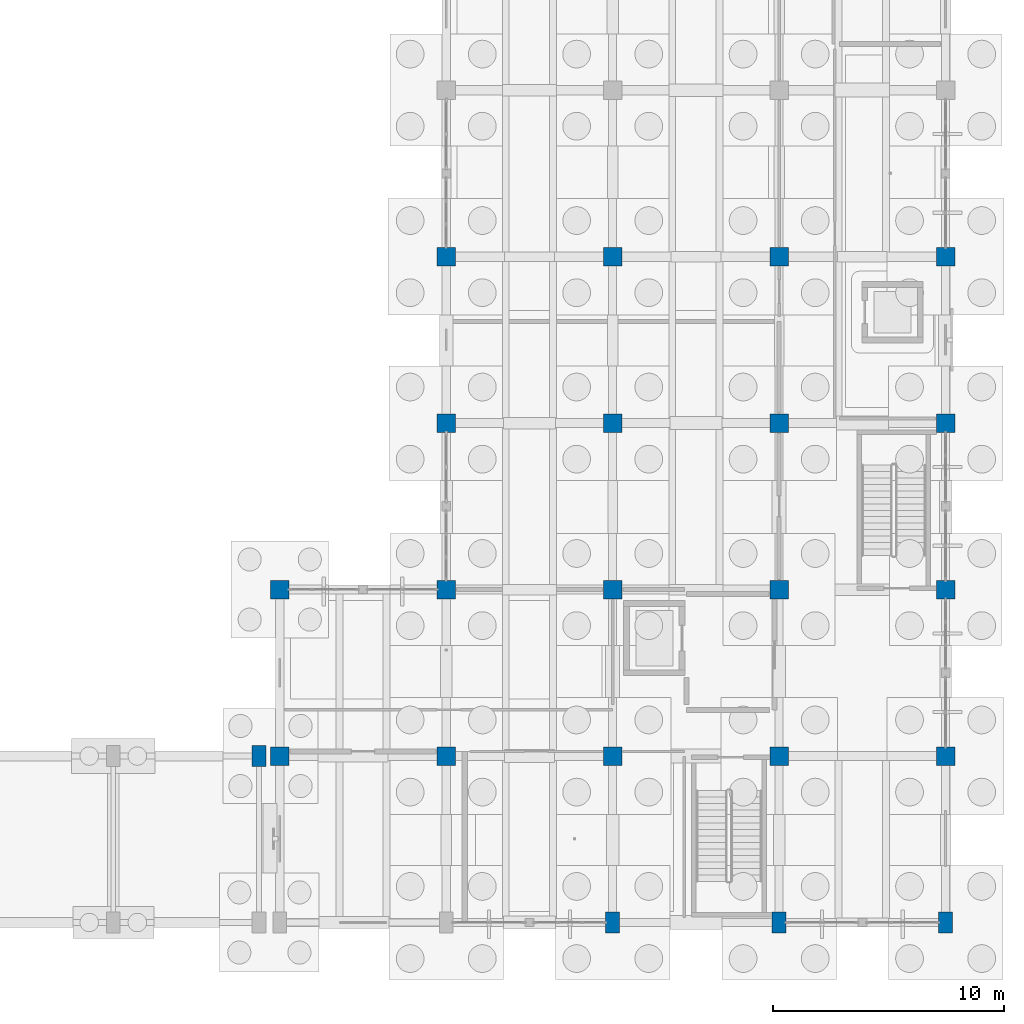
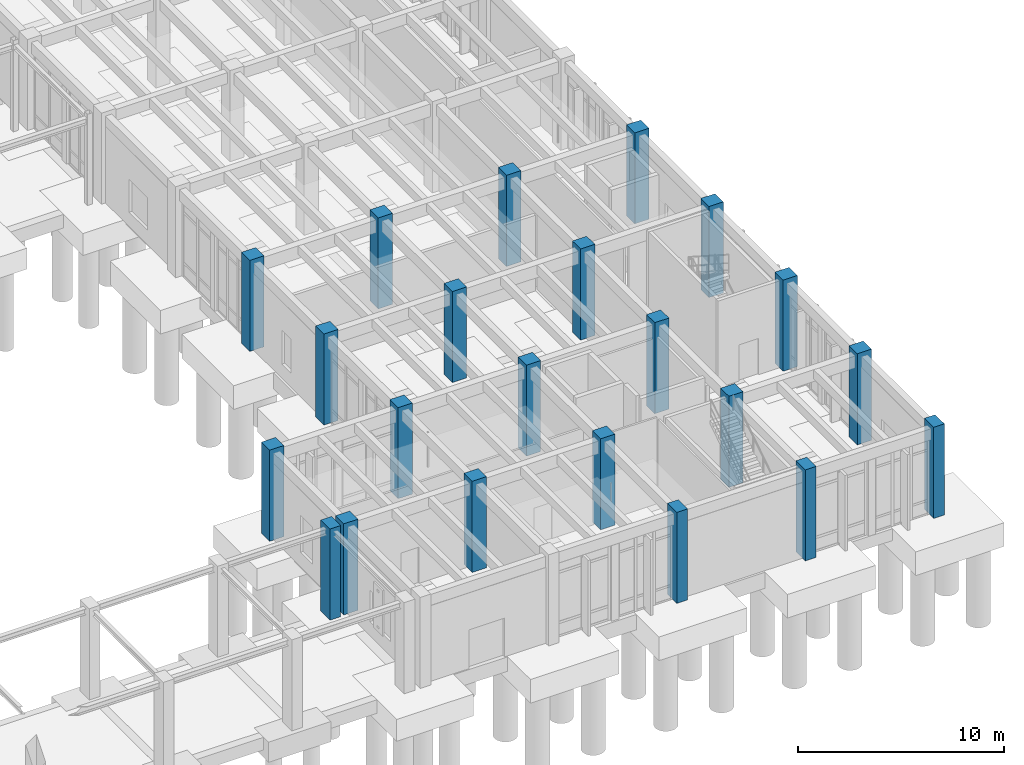
# One storey, part 14 of 93: 22 columns.
"""IFC4 building model written with IfcOpenShell, lengths in metres."""

from ifc_helpers import new_model, si_unit, direction, frame, origin, origin_2d, place, context, subcontext, project, spatial, rectangle, extrude, material, material_profile, profile_set, type_object, element, save


model = new_model("IFC4")

# Units and contexts
model_context = context("Model", 3, precision=1e-05, world=origin(), true_north=direction((0.0, 1.0)))
body_context = subcontext(model_context, "Body", "Model", "MODEL_VIEW")
ifc_project = project(units=[si_unit("LENGTHUNIT", "METRE"), si_unit("AREAUNIT", "SQUARE_METRE"), si_unit("VOLUMEUNIT", "CUBIC_METRE"), si_unit("PLANEANGLEUNIT", "RADIAN"), si_unit("MASSUNIT", "GRAM", prefix="KILO")], contexts=[model_context])

# Site, building, storey
site_placement = place(None, origin())
site = spatial("IfcSite", under=ifc_project, at=site_placement, CompositionType="ELEMENT")
building_placement = place(site_placement, origin())
building = spatial("IfcBuilding", under=site, at=building_placement, Name="Koriwan Promenade Central Fire Station", CompositionType="ELEMENT")
storey_placement = place(building_placement, origin())
storey = spatial("IfcBuildingStorey", under=building, at=storey_placement, Name="L00", CompositionType="ELEMENT", Elevation=0.0)

# Columns
ifc_material = material(Name="Concrete C40/50", Category="concrete")
ifc_material_profile_1 = material_profile(ifc_material, rectangle(XDim=0.800048828125, YDim=0.800048828125, at=origin_2d()), Name="RC-COL-800x800")
ifc_profile_set_1 = profile_set([ifc_material_profile_1], Name="Concrete C40/50")
column_type_1 = type_object("IfcColumnType", Name="Column_RC-COL-800x800", PredefinedType="COLUMN", material=ifc_profile_set_1)
for number, where, z_axis, x_axis, name in (
    (1, (144.0, 7.199951171875, 0.0), (0.0, 0.0, 1.0), (1.0, 0.0, 0.0), "V5 L00 column (144.0, 7.2)"),
    (2, (144.0, 14.39990234375, 0.0), (0.0, 0.0, 1.0), (1.0, 0.0, 0.0), "V5 L00 column (144.0, 14.4)"),
    (3, (151.199951171875, 7.199951171875, 0.0), (0.0, 0.0, 1.0), (1.0, 0.0, 0.0), "V5 L00 column (151.2, 7.2)"),
    (4, (151.199951171875, 14.39990234375, 0.0), (0.0, 0.0, 1.0), (1.0, 0.0, 0.0), "V5 L00 column (151.2, 14.4)"),
    (5, (151.199951171875, 21.60009765625, 0.0), (0.0, 0.0, 1.0), (1.0, 0.0, 0.0), "V5 L00 column (151.2, 21.6)"),
    (6, (151.199951171875, 28.800048828125, 0.0), (0.0, 0.0, 1.0), (1.0, 0.0, 0.0), "V5 L00 column (151.2, 28.8)"),
    (7, (158.39990234375, 7.199951171875, 0.0), (0.0, 0.0, 1.0), (1.0, 0.0, 0.0), "V5 L00 column (158.4, 7.2)"),
    (8, (158.39990234375, 14.39990234375, 0.0), (0.0, 0.0, 1.0), (1.0, 0.0, 0.0), "V5 L00 column (158.4, 14.4)"),
    (9, (158.39990234375, 21.60009765625, 0.0), (0.0, 0.0, 1.0), (1.0, 0.0, 0.0), "V5 L00 column (158.4, 21.6)"),
    (10, (158.39990234375, 28.800048828125, 0.0), (0.0, 0.0, 1.0), (1.0, 0.0, 0.0), "V5 L00 column (158.4, 28.8)"),
    (11, (165.60009765625, 7.199951171875, 0.0), (0.0, 0.0, 1.0), (1.0, 0.0, 0.0), "V5 L00 column (165.6, 7.2)"),
    (12, (165.60009765625, 14.39990234375, 0.0), (0.0, 0.0, 1.0), (1.0, 0.0, 0.0), "V5 L00 column (165.6, 14.4)"),
    (13, (165.60009765625, 21.60009765625, 0.0), (0.0, 0.0, 1.0), (1.0, 0.0, 0.0), "V5 L00 column (165.6, 21.6)"),
    (14, (165.60009765625, 28.800048828125, 0.0), (0.0, 0.0, 1.0), (1.0, 0.0, 0.0), "V5 L00 column (165.6, 28.8)"),
    (15, (172.800048828125, 7.199951171875, 0.0), (0.0, 0.0, 1.0), (1.0, 0.0, 0.0), "V5 L00 column (172.8, 7.2)"),
    (16, (172.800048828125, 14.39990234375, 0.0), (0.0, 0.0, 1.0), (1.0, 0.0, 0.0), "V5 L00 column (172.8, 14.4)"),
    (17, (172.800048828125, 21.60009765625, 0.0), (0.0, 0.0, 1.0), (1.0, 0.0, 0.0), "V5 L00 column (172.8, 21.6)"),
    (18, (172.800048828125, 28.800048828125, 0.0), (0.0, 0.0, 1.0), (1.0, 0.0, 0.0), "V5 L00 column (172.8, 28.8)"),
):
    element("IfcColumn", number, at=place(storey_placement, frame(where, z_axis=z_axis, x_axis=x_axis)), inside=storey, type_object=column_type_1, Name=name, PredefinedType="COLUMN", context=body_context, shape_type="SweptSolid", body=[
        extrude(rectangle(XDim=0.800048828125, YDim=0.800048828125, at=origin_2d()), origin(), (0.0, 0.0, 1.0), 5.39990234375),
    ])
ifc_material_profile_2 = material_profile(ifc_material, rectangle(XDim=0.60009765625, YDim=0.89990234375, at=origin_2d()), Name="RC-PIL-600x900")
ifc_profile_set_2 = profile_set([ifc_material_profile_2], Name="Concrete C40/50")
column_type_2 = type_object("IfcColumnType", Name="Column_RC-PIL-600x900", PredefinedType="PILASTER", material=ifc_profile_set_2)
for number, where, z_axis, x_axis, name in (
    (19, (158.39990234375, 0.0, 0.0), (0.0, 0.0, 1.0), (1.0, 0.0, 0.0), "V5 L00 column (158.4, 0.0)"),
    (20, (165.60009765625, 0.0, 0.0), (0.0, 0.0, 1.0), (1.0, 0.0, 0.0), "V5 L00 column (165.6, 0.0)"),
    (21, (172.800048828125, 0.0, 0.0), (0.0, 0.0, 1.0), (1.0, 0.0, 0.0), "V5 L00 column (172.8, 0.0)"),
    (22, (143.10009765625, 7.199951171875, 0.0), (0.0, 0.0, 1.0), (1.0, 0.0, 0.0), "COL_SOUTH L00 pier (143.1, 7.2)"),
):
    element("IfcColumn", number, at=place(storey_placement, frame(where, z_axis=z_axis, x_axis=x_axis)), inside=storey, type_object=column_type_2, Name=name, PredefinedType="PILASTER", context=body_context, shape_type="SweptSolid", body=[
        extrude(rectangle(XDim=0.60009765625, YDim=0.89990234375, at=origin_2d()), origin(), (0.0, 0.0, 1.0), 5.39990234375),
    ])

save(model, "model.ifc")
